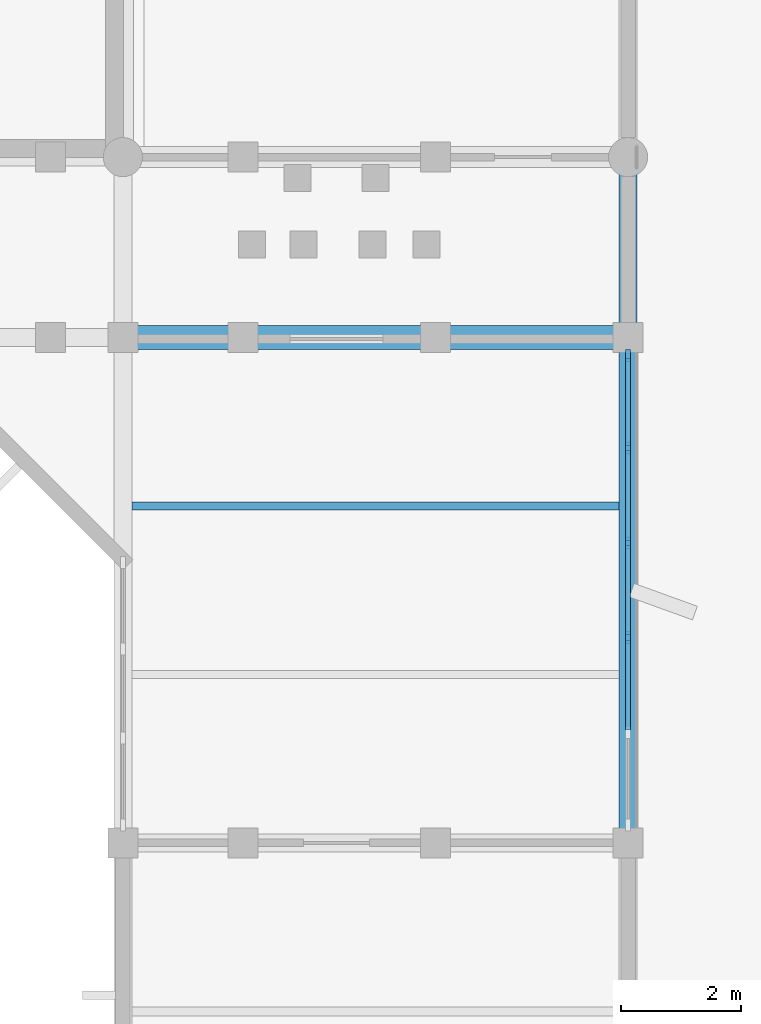
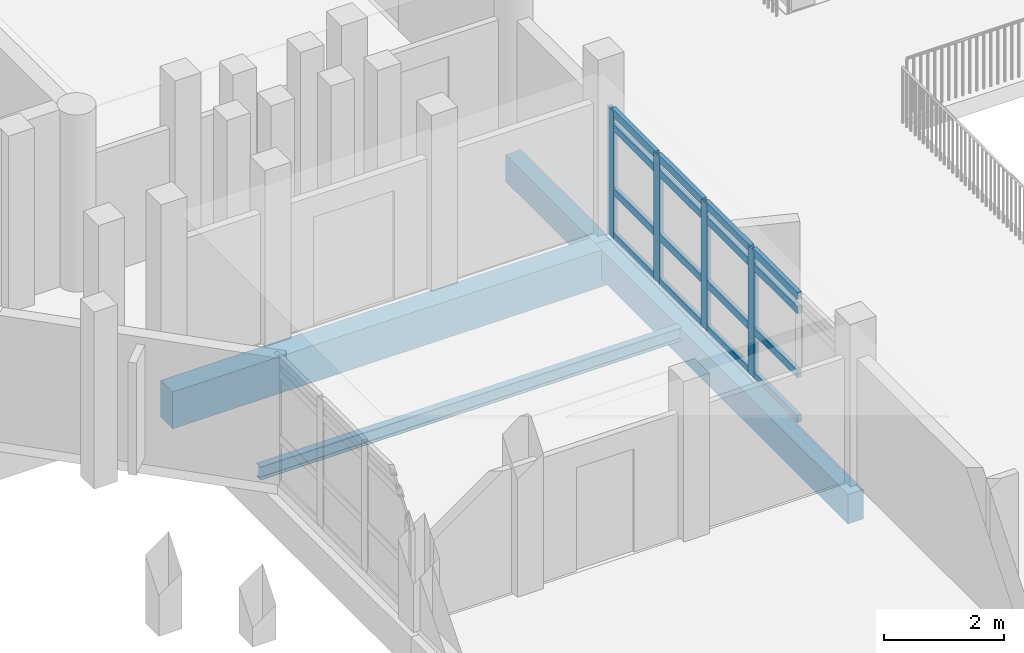
# One storey, part 21 of 104: 20 members, 4 beams, 1 element without a shape of its own.
"""IFC4 building model written with IfcOpenShell, lengths in metres."""

from ifc_helpers import new_model, si_unit, direction, frame, origin, origin_2d, place, context, subcontext, project, spatial, rectangle, i_section, extrude, material, material_profile, profile_set, type_object, element, aggregate, save


model = new_model("IFC4")

# Units and contexts
model_context = context("Model", 3, precision=1e-05, world=origin(), true_north=direction((0.0, 1.0)))
body_context = subcontext(model_context, "Body", "Model", "MODEL_VIEW")
ifc_project = project(units=[si_unit("LENGTHUNIT", "METRE"), si_unit("AREAUNIT", "SQUARE_METRE"), si_unit("VOLUMEUNIT", "CUBIC_METRE"), si_unit("PLANEANGLEUNIT", "RADIAN"), si_unit("MASSUNIT", "GRAM", prefix="KILO")], contexts=[model_context])

# Site, building, storey
site_placement = place(None, origin())
site = spatial("IfcSite", under=ifc_project, at=site_placement, CompositionType="ELEMENT")
building_placement = place(site_placement, origin())
building = spatial("IfcBuilding", under=site, at=building_placement, Name="Vanh Quang Courtyard School", CompositionType="ELEMENT")
storey_placement = place(building_placement, frame((0.0, 0.0, 4.199951171875)))
storey = spatial("IfcBuildingStorey", under=building, at=storey_placement, Name="L01", CompositionType="ELEMENT", Elevation=4.199951171875)

# Beams
ifc_material_1 = material(Name="Concrete C35/45", Category="concrete")
ifc_material_profile_1 = material_profile(ifc_material_1, rectangle(XDim=0.300048828125, YDim=0.550048828125, at=origin_2d()), Name="RC-BM 300x550")
ifc_profile_set_1 = profile_set([ifc_material_profile_1], Name="Concrete C35/45")
beam_type_1 = type_object("IfcBeamType", Name="BM-RC-300x550", PredefinedType="BEAM", material=ifc_profile_set_1)
beam_1_placement = place(storey_placement, frame((119.39990234375, 29.39990234375, -0.594970703125), z_axis=(0.0, 1.0, 0.0), x_axis=(-1.0, 0.0, 0.0)))
element("IfcBeam", 1, at=beam_1_placement, inside=storey, type_object=beam_type_1, Name="Beam B-07 (L01)", PredefinedType="BEAM", context=body_context, shape_type="SweptSolid", body=[
    extrude(rectangle(XDim=0.300048828125, YDim=0.550048828125, at=origin_2d()), origin(), (0.0, 0.0, 1.0), 3.0),
])
ifc_material_profile_2 = material_profile(ifc_material_1, rectangle(XDim=0.300048828125, YDim=0.60009765625, at=origin_2d()), Name="RC-BM 300x600")
ifc_profile_set_2 = profile_set([ifc_material_profile_2], Name="Concrete C35/45")
beam_type_2 = type_object("IfcBeamType", Name="BM-RC-300x600", PredefinedType="BEAM", material=ifc_profile_set_2)
beam_2_placement = place(storey_placement, frame((119.39990234375, 21.0, -0.619873046875), z_axis=(0.0, 1.0, 0.0), x_axis=(-1.0, 0.0, 0.0)))
element("IfcBeam", 2, at=beam_2_placement, inside=storey, type_object=beam_type_2, Name="Beam B-06 (L01)", PredefinedType="BEAM", context=body_context, shape_type="SweptSolid", body=[
    extrude(rectangle(XDim=0.300048828125, YDim=0.60009765625, at=origin_2d()), origin(), (0.0, 0.0, 1.0), 8.39990234375),
])
ifc_material_profile_3 = material_profile(ifc_material_1, rectangle(XDim=0.39990234375, YDim=0.75, at=origin_2d()), Name="RC-BM 400x750")
ifc_profile_set_3 = profile_set([ifc_material_profile_3], Name="Concrete C35/45")
beam_type_3 = type_object("IfcBeamType", Name="BM-RC-400x750", PredefinedType="BEAM", material=ifc_profile_set_3)
beam_3_placement = place(storey_placement, frame((111.0, 29.39990234375, -0.695068359375), z_axis=(1.0, 0.0, 0.0), x_axis=(0.0, 1.0, 0.0)))
element("IfcBeam", 3, at=beam_3_placement, inside=storey, type_object=beam_type_3, Name="Beam B-03 (L01)", PredefinedType="BEAM", context=body_context, shape_type="SweptSolid", body=[
    extrude(rectangle(XDim=0.39990234375, YDim=0.75, at=origin_2d()), origin(), (0.0, 0.0, 1.0), 8.39990234375),
])

# Curtain wall, members
ifc_material_2 = material(Name="Thermally broken aluminium unitised curtain wall", Category="aluminium")
curtain_wall_type = type_object("IfcCurtainWallType", Name="CW-SYS-19", PredefinedType="NOTDEFINED", material=ifc_material_2)
curtain_wall_placement = place(storey_placement, origin())
curtain_wall = element("IfcCurtainWall", 4, at=curtain_wall_placement, inside=storey, type_object=curtain_wall_type, Name="Curtain Wall CW-19 (L01)", PredefinedType="NOTDEFINED")
ifc_material_3 = material(Name="Anodised aluminium 6063-T6", Category="aluminium")
ifc_material_profile_4 = material_profile(ifc_material_3, rectangle(XDim=0.080078125, YDim=0.199951171875, at=origin_2d()), Name="ALU-MUL 80x200")
ifc_profile_set_4 = profile_set([ifc_material_profile_4], Name="Anodised aluminium 6063-T6")
member_type_1 = type_object("IfcMemberType", Name="CW-MUL-80x200", PredefinedType="MULLION", material=ifc_profile_set_4)
member_1_placement = place(storey_placement, frame((119.39990234375, 29.10205078125, 0.0), z_axis=(0.0, 0.0, 1.0), x_axis=(1.0, 0.0, 0.0)))
member_1 = element("IfcMember", 5, at=member_1_placement, type_object=member_type_1, Name="CW-19 mullion 1", PredefinedType="MULLION", context=body_context, shape_type="SweptSolid", body=[
    extrude(rectangle(XDim=0.080078125, YDim=0.199951171875, at=origin_2d()), origin(), (0.0, 0.0, 1.0), 2.580078125),
])
member_2_placement = place(storey_placement, frame((119.39990234375, 27.565185546875, 0.0), z_axis=(0.0, 0.0, 1.0), x_axis=(1.0, 0.0, 0.0)))
member_2 = element("IfcMember", 6, at=member_2_placement, type_object=member_type_1, Name="CW-19 mullion 2", PredefinedType="MULLION", context=body_context, shape_type="SweptSolid", body=[
    extrude(rectangle(XDim=0.080078125, YDim=0.199951171875, at=origin_2d()), origin(), (0.0, 0.0, 1.0), 2.580078125),
])
member_3_placement = place(storey_placement, frame((119.39990234375, 25.98828125, 0.0), z_axis=(0.0, 0.0, 1.0), x_axis=(1.0, 0.0, 0.0)))
member_3 = element("IfcMember", 7, at=member_3_placement, type_object=member_type_1, Name="CW-19 mullion 3", PredefinedType="MULLION", context=body_context, shape_type="SweptSolid", body=[
    extrude(rectangle(XDim=0.080078125, YDim=0.199951171875, at=origin_2d()), origin(), (0.0, 0.0, 1.0), 2.580078125),
])
member_4_placement = place(storey_placement, frame((119.39990234375, 24.41162109375, 0.0), z_axis=(0.0, 0.0, 1.0), x_axis=(1.0, 0.0, 0.0)))
member_4 = element("IfcMember", 8, at=member_4_placement, type_object=member_type_1, Name="CW-19 mullion 4", PredefinedType="MULLION", context=body_context, shape_type="SweptSolid", body=[
    extrude(rectangle(XDim=0.080078125, YDim=0.199951171875, at=origin_2d()), origin(), (0.0, 0.0, 1.0), 2.580078125),
])
ifc_material_profile_5 = material_profile(ifc_material_3, rectangle(XDim=0.080078125, YDim=0.14990234375, at=origin_2d()), Name="ALU-TRN 80x150")
ifc_profile_set_5 = profile_set([ifc_material_profile_5], Name="Anodised aluminium 6063-T6")
member_type_2 = type_object("IfcMemberType", Name="CW-TRN-80x150", PredefinedType="USERDEFINED", material=ifc_profile_set_5)
member_5_placement = place(storey_placement, frame((119.39990234375, 29.06201171875, 0.0400390625), z_axis=(0.0, -1.0, 0.0), x_axis=(1.0, 0.0, 0.0)))
member_5 = element("IfcMember", 9, at=member_5_placement, type_object=member_type_2, Name="CW-19 transom 1.1", ObjectType="TRANSOM", PredefinedType="USERDEFINED", context=body_context, shape_type="SweptSolid", body=[
    extrude(rectangle(XDim=0.080078125, YDim=0.14990234375, at=origin_2d()), origin(), (0.0, 0.0, 1.0), 1.456787109375),
])
member_6_placement = place(storey_placement, frame((119.39990234375, 29.06201171875, 0.949951171875), z_axis=(0.0, -1.0, 0.0), x_axis=(1.0, 0.0, 0.0)))
member_6 = element("IfcMember", 10, at=member_6_placement, type_object=member_type_2, Name="CW-19 transom 1.2", ObjectType="TRANSOM", PredefinedType="USERDEFINED", context=body_context, shape_type="SweptSolid", body=[
    extrude(rectangle(XDim=0.080078125, YDim=0.14990234375, at=origin_2d()), origin(), (0.0, 0.0, 1.0), 1.456787109375),
])
member_7_placement = place(storey_placement, frame((119.39990234375, 29.06201171875, 2.25), z_axis=(0.0, -1.0, 0.0), x_axis=(1.0, 0.0, 0.0)))
member_7 = element("IfcMember", 11, at=member_7_placement, type_object=member_type_2, Name="CW-19 transom 1.3", ObjectType="TRANSOM", PredefinedType="USERDEFINED", context=body_context, shape_type="SweptSolid", body=[
    extrude(rectangle(XDim=0.080078125, YDim=0.14990234375, at=origin_2d()), origin(), (0.0, 0.0, 1.0), 1.456787109375),
])
member_8_placement = place(storey_placement, frame((119.39990234375, 29.06201171875, 2.5400390625), z_axis=(0.0, -1.0, 0.0), x_axis=(1.0, 0.0, 0.0)))
member_8 = element("IfcMember", 12, at=member_8_placement, type_object=member_type_2, Name="CW-19 transom 1.4", ObjectType="TRANSOM", PredefinedType="USERDEFINED", context=body_context, shape_type="SweptSolid", body=[
    extrude(rectangle(XDim=0.080078125, YDim=0.14990234375, at=origin_2d()), origin(), (0.0, 0.0, 1.0), 1.456787109375),
])
member_9_placement = place(storey_placement, frame((119.39990234375, 27.525146484375, 0.0400390625), z_axis=(0.0, -1.0, 0.0), x_axis=(1.0, 0.0, 0.0)))
member_9 = element("IfcMember", 13, at=member_9_placement, type_object=member_type_2, Name="CW-19 transom 2.1", ObjectType="TRANSOM", PredefinedType="USERDEFINED", context=body_context, shape_type="SweptSolid", body=[
    extrude(rectangle(XDim=0.080078125, YDim=0.14990234375, at=origin_2d()), origin(), (0.0, 0.0, 1.0), 1.496826171875),
])
member_10_placement = place(storey_placement, frame((119.39990234375, 27.525146484375, 0.949951171875), z_axis=(0.0, -1.0, 0.0), x_axis=(1.0, 0.0, 0.0)))
member_10 = element("IfcMember", 14, at=member_10_placement, type_object=member_type_2, Name="CW-19 transom 2.2", ObjectType="TRANSOM", PredefinedType="USERDEFINED", context=body_context, shape_type="SweptSolid", body=[
    extrude(rectangle(XDim=0.080078125, YDim=0.14990234375, at=origin_2d()), origin(), (0.0, 0.0, 1.0), 1.496826171875),
])
member_11_placement = place(storey_placement, frame((119.39990234375, 27.525146484375, 2.25), z_axis=(0.0, -1.0, 0.0), x_axis=(1.0, 0.0, 0.0)))
member_11 = element("IfcMember", 15, at=member_11_placement, type_object=member_type_2, Name="CW-19 transom 2.3", ObjectType="TRANSOM", PredefinedType="USERDEFINED", context=body_context, shape_type="SweptSolid", body=[
    extrude(rectangle(XDim=0.080078125, YDim=0.14990234375, at=origin_2d()), origin(), (0.0, 0.0, 1.0), 1.496826171875),
])
member_12_placement = place(storey_placement, frame((119.39990234375, 27.525146484375, 2.5400390625), z_axis=(0.0, -1.0, 0.0), x_axis=(1.0, 0.0, 0.0)))
member_12 = element("IfcMember", 16, at=member_12_placement, type_object=member_type_2, Name="CW-19 transom 2.4", ObjectType="TRANSOM", PredefinedType="USERDEFINED", context=body_context, shape_type="SweptSolid", body=[
    extrude(rectangle(XDim=0.080078125, YDim=0.14990234375, at=origin_2d()), origin(), (0.0, 0.0, 1.0), 1.496826171875),
])
member_13_placement = place(storey_placement, frame((119.39990234375, 25.948486328125, 0.0400390625), z_axis=(0.0, -1.0, 0.0), x_axis=(1.0, 0.0, 0.0)))
member_13 = element("IfcMember", 17, at=member_13_placement, type_object=member_type_2, Name="CW-19 transom 3.1", ObjectType="TRANSOM", PredefinedType="USERDEFINED", context=body_context, shape_type="SweptSolid", body=[
    extrude(rectangle(XDim=0.080078125, YDim=0.14990234375, at=origin_2d()), origin(), (0.0, 0.0, 1.0), 1.496826171875),
])
member_14_placement = place(storey_placement, frame((119.39990234375, 25.948486328125, 0.949951171875), z_axis=(0.0, -1.0, 0.0), x_axis=(1.0, 0.0, 0.0)))
member_14 = element("IfcMember", 18, at=member_14_placement, type_object=member_type_2, Name="CW-19 transom 3.2", ObjectType="TRANSOM", PredefinedType="USERDEFINED", context=body_context, shape_type="SweptSolid", body=[
    extrude(rectangle(XDim=0.080078125, YDim=0.14990234375, at=origin_2d()), origin(), (0.0, 0.0, 1.0), 1.496826171875),
])
member_15_placement = place(storey_placement, frame((119.39990234375, 25.948486328125, 2.25), z_axis=(0.0, -1.0, 0.0), x_axis=(1.0, 0.0, 0.0)))
member_15 = element("IfcMember", 19, at=member_15_placement, type_object=member_type_2, Name="CW-19 transom 3.3", ObjectType="TRANSOM", PredefinedType="USERDEFINED", context=body_context, shape_type="SweptSolid", body=[
    extrude(rectangle(XDim=0.080078125, YDim=0.14990234375, at=origin_2d()), origin(), (0.0, 0.0, 1.0), 1.496826171875),
])
member_16_placement = place(storey_placement, frame((119.39990234375, 25.948486328125, 2.5400390625), z_axis=(0.0, -1.0, 0.0), x_axis=(1.0, 0.0, 0.0)))
member_16 = element("IfcMember", 20, at=member_16_placement, type_object=member_type_2, Name="CW-19 transom 3.4", ObjectType="TRANSOM", PredefinedType="USERDEFINED", context=body_context, shape_type="SweptSolid", body=[
    extrude(rectangle(XDim=0.080078125, YDim=0.14990234375, at=origin_2d()), origin(), (0.0, 0.0, 1.0), 1.496826171875),
])
member_17_placement = place(storey_placement, frame((119.39990234375, 24.37158203125, 0.0400390625), z_axis=(0.0, -1.0, 0.0), x_axis=(1.0, 0.0, 0.0)))
member_17 = element("IfcMember", 21, at=member_17_placement, type_object=member_type_2, Name="CW-19 transom 4.1", ObjectType="TRANSOM", PredefinedType="USERDEFINED", context=body_context, shape_type="SweptSolid", body=[
    extrude(rectangle(XDim=0.080078125, YDim=0.14990234375, at=origin_2d()), origin(), (0.0, 0.0, 1.0), 1.496826171875),
])
member_18_placement = place(storey_placement, frame((119.39990234375, 24.37158203125, 0.949951171875), z_axis=(0.0, -1.0, 0.0), x_axis=(1.0, 0.0, 0.0)))
member_18 = element("IfcMember", 22, at=member_18_placement, type_object=member_type_2, Name="CW-19 transom 4.2", ObjectType="TRANSOM", PredefinedType="USERDEFINED", context=body_context, shape_type="SweptSolid", body=[
    extrude(rectangle(XDim=0.080078125, YDim=0.14990234375, at=origin_2d()), origin(), (0.0, 0.0, 1.0), 1.496826171875),
])
member_19_placement = place(storey_placement, frame((119.39990234375, 24.37158203125, 2.25), z_axis=(0.0, -1.0, 0.0), x_axis=(1.0, 0.0, 0.0)))
member_19 = element("IfcMember", 23, at=member_19_placement, type_object=member_type_2, Name="CW-19 transom 4.3", ObjectType="TRANSOM", PredefinedType="USERDEFINED", context=body_context, shape_type="SweptSolid", body=[
    extrude(rectangle(XDim=0.080078125, YDim=0.14990234375, at=origin_2d()), origin(), (0.0, 0.0, 1.0), 1.496826171875),
])
member_20_placement = place(storey_placement, frame((119.39990234375, 24.37158203125, 2.5400390625), z_axis=(0.0, -1.0, 0.0), x_axis=(1.0, 0.0, 0.0)))
member_20 = element("IfcMember", 24, at=member_20_placement, type_object=member_type_2, Name="CW-19 transom 4.4", ObjectType="TRANSOM", PredefinedType="USERDEFINED", context=body_context, shape_type="SweptSolid", body=[
    extrude(rectangle(XDim=0.080078125, YDim=0.14990234375, at=origin_2d()), origin(), (0.0, 0.0, 1.0), 1.496826171875),
])
aggregate(curtain_wall, [member_1, member_2, member_3, member_4, member_5, member_6, member_7, member_8, member_9, member_10, member_11, member_12, member_13, member_14, member_15, member_16, member_17, member_18, member_19, member_20])

# Beam
ifc_material_4 = material(Name="Structural steel EN 10025-2 S355J2", Category="steel")
ifc_material_profile_6 = material_profile(ifc_material_4, i_section(OverallWidth=0.135009765625, OverallDepth=0.27001953125, WebThickness=0.006591796875, FlangeThickness=0.01025390625, FilletRadius=0.014892578125, at=origin_2d()), Name="IPE 270")
ifc_profile_set_6 = profile_set([ifc_material_profile_6], Name="Structural steel EN 10025-2 S355J2")
beam_type_4 = type_object("IfcBeamType", Name="JST-STL-IPE270", PredefinedType="JOIST", material=ifc_profile_set_6)
beam_4_placement = place(storey_placement, frame((111.14990234375, 26.60009765625, -0.4150390625), z_axis=(1.0, 0.0, 0.0), x_axis=(0.0, 1.0, 0.0)))
element("IfcBeam", 25, at=beam_4_placement, inside=storey, type_object=beam_type_4, Name="Beam SJ-03 (L01)", PredefinedType="JOIST", context=body_context, shape_type="SweptSolid", body=[
    extrude(i_section(OverallWidth=0.135009765625, OverallDepth=0.27001953125, WebThickness=0.006591796875, FlangeThickness=0.01025390625, FilletRadius=0.014892578125, at=origin_2d()), origin(), (0.0, 0.0, 1.0), 8.10009765625),
])

save(model, "model.ifc")
